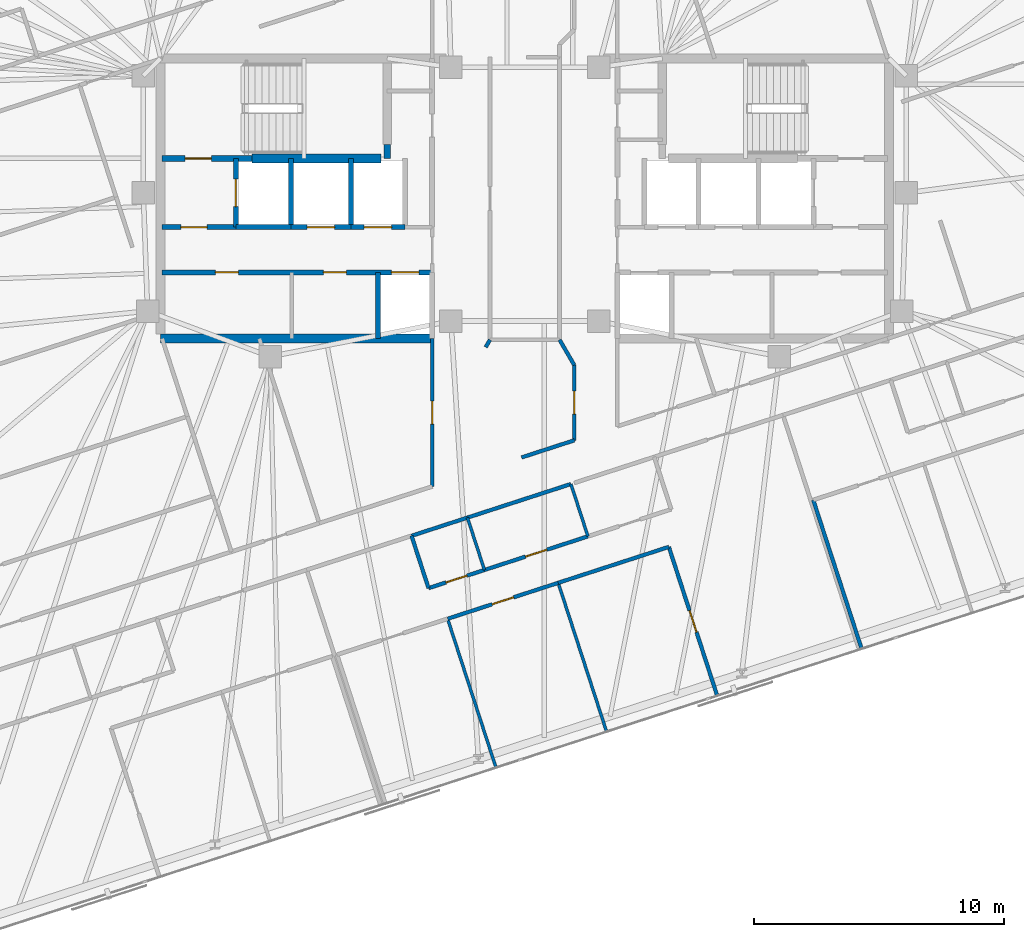
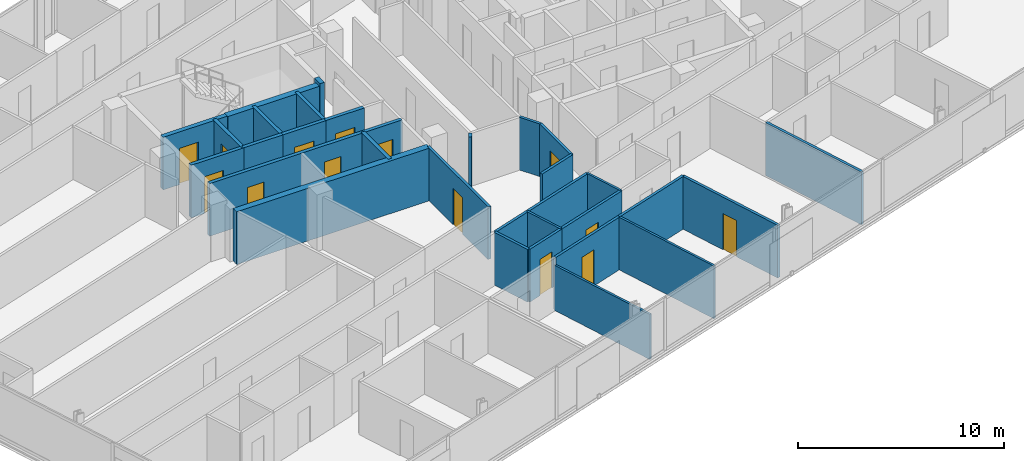
# One storey, part 14 of 20: 31 walls, 14 doors, 14 openings.
"""IFC4 building model written with IfcOpenShell, lengths in metres."""

from ifc_helpers import new_model, si_unit, direction, frame, frame_2d, origin, place, context, subcontext, project, spatial, rectangle, extrude, material, layer, layer_set, type_object, element, fill, save


model = new_model("IFC4")

# Units and contexts
model_context = context("Model", 3, precision=1e-05, world=origin(), true_north=direction((0.0, 1.0)))
body_context = subcontext(model_context, "Body", "Model", "MODEL_VIEW")
ifc_project = project(units=[si_unit("LENGTHUNIT", "METRE"), si_unit("AREAUNIT", "SQUARE_METRE"), si_unit("VOLUMEUNIT", "CUBIC_METRE"), si_unit("PLANEANGLEUNIT", "RADIAN"), si_unit("MASSUNIT", "GRAM", prefix="KILO")], contexts=[model_context])

# Site, building, storey
site_placement = place(None, origin())
site = spatial("IfcSite", under=ifc_project, at=site_placement, CompositionType="ELEMENT")
building_placement = place(site_placement, origin())
building = spatial("IfcBuilding", under=site, at=building_placement, Name="Menara Jurai Vektor", CompositionType="ELEMENT")
storey_placement = place(building_placement, frame((0.0, 0.0, 227.64990234375)))
storey = spatial("IfcBuildingStorey", under=building, at=storey_placement, Name="L60", CompositionType="ELEMENT", Elevation=227.64990234375)

# Wall, opening, door
ifc_material_1 = material(Name="Concrete C40/50", Category="concrete")
ifc_layer_1 = layer(ifc_material_1, 0.25)
ifc_layer_set_1 = layer_set([ifc_layer_1], Name="Concrete C40/50")
wall_type_1 = type_object("IfcWallType", Name="INT-WALL-CORE-250", PredefinedType="STANDARD", material=ifc_layer_set_1)
wall_1_placement = place(storey_placement, frame((-14.5, 1.60009765625, 0.0), z_axis=(0.0, 0.0, 1.0), x_axis=(1.0, 0.0, 0.0)))
wall_1 = element("IfcWall", 1, at=wall_1_placement, inside=storey, type_object=wall_type_1, Name="Interior Wall IW-250 L60", PredefinedType="STANDARD", context=body_context, shape_type="SweptSolid", body=[
    extrude(rectangle(XDim=3.60009765625, YDim=0.25, at=frame_2d((1.800048828125, 0.0))), origin(), (0.0, 0.0, 1.0), 3.125),
])
opening_1_placement = place(wall_1_placement, frame((0.919921875, 0.0, 0.0)))
opening_1 = element("IfcOpeningElement", 2, at=opening_1_placement, cuts=wall_1, Name="Opening D-L60-ST1", PredefinedType="OPENING", context=body_context, shape_type="SweptSolid", body=[
    extrude(rectangle(XDim=1.050048828125, YDim=2.14990234375, at=frame_2d((0.52490234375, 1.074951171875))), frame((0.0, 0.135009765625, 0.0), z_axis=(0.0, -1.0, 0.0), x_axis=(1.0, 0.0, 0.0)), (0.0, 0.0, 1.0), 0.27001953125),
])
ifc_material_2 = material(Name="Fire-Rated Steel Door", Category="steel")
door_type_1 = type_object("IfcDoorType", Name="DR-STAIR-1050", OperationType="NOTDEFINED", PredefinedType="DOOR", material=ifc_material_2)
door_1_placement = place(opening_1_placement, origin())
door_1 = element("IfcDoor", 3, at=door_1_placement, inside=storey, type_object=door_type_1, Name="Exit Stair ST1 Door L60", OperationType="SINGLE_SWING_RIGHT", OverallHeight=2.14990234375, OverallWidth=1.050048828125, PredefinedType="DOOR", context=body_context, shape_type="SweptSolid", body=[
    extrude(rectangle(XDim=1.050048828125, YDim=2.14990234375, at=frame_2d((0.52490234375, 1.074951171875))), frame((0.0, 0.02490234375, 0.0), z_axis=(0.0, -1.0, 0.0), x_axis=(1.0, 0.0, 0.0)), (0.0, 0.0, 1.0), 0.050048828125),
])
fill(opening_1, door_1)

# Wall
wall_2_placement = place(storey_placement, frame((-5.5, 1.60009765625, 0.0), z_axis=(0.0, 0.0, 1.0), x_axis=(0.0, 1.0, 0.0)))
element("IfcWall", 4, at=wall_2_placement, inside=storey, type_object=wall_type_1, Name="Interior Wall IW-250 L60", PredefinedType="STANDARD", context=body_context, shape_type="SweptSolid", body=[
    extrude(rectangle(XDim=0.5498046875, YDim=0.25, at=frame_2d((0.27490234375, 0.0))), origin(), (0.0, 0.0, 1.0), 3.125),
])

# Wall, opening, door
wall_3_placement = place(storey_placement, frame((-11.550048828125, -1.14990234375, 0.0), z_axis=(0.0, 0.0, 1.0), x_axis=(0.0, 1.0, 0.0)))
wall_3 = element("IfcWall", 5, at=wall_3_placement, inside=storey, type_object=wall_type_1, Name="Interior Wall IW-250 L60", PredefinedType="STANDARD", context=body_context, shape_type="SweptSolid", body=[
    extrude(rectangle(XDim=2.75, YDim=0.199951171875, at=frame_2d((1.375, 0.0))), origin(), (0.0, 0.0, 1.0), 3.125),
])
opening_2_placement = place(wall_3_placement, frame((0.824951171875, 0.0, 0.0)))
opening_2 = element("IfcOpeningElement", 6, at=opening_2_placement, cuts=wall_3, Name="Opening LD-L60-FL1", PredefinedType="OPENING", context=body_context, shape_type="SweptSolid", body=[
    extrude(rectangle(XDim=1.10009765625, YDim=2.14990234375, at=frame_2d((0.550048828125, 1.074951171875))), frame((0.0, 0.10986328125, 0.0), z_axis=(0.0, -1.0, 0.0), x_axis=(1.0, 0.0, 0.0)), (0.0, 0.0, 1.0), 0.219970703125),
])
ifc_material_3 = material(Name="Stainless Steel Sliding Lift Landing Door", Category="steel")
door_type_2 = type_object("IfcDoorType", Name="DR-LIFT-FIRE-1100", OperationType="NOTDEFINED", PredefinedType="DOOR", material=ifc_material_3)
door_2_placement = place(opening_2_placement, origin())
door_2 = element("IfcDoor", 7, at=door_2_placement, inside=storey, type_object=door_type_2, Name="Lift Landing Door FL1 L60", OperationType="SLIDING_TO_RIGHT", OverallHeight=2.14990234375, OverallWidth=1.10009765625, PredefinedType="DOOR", context=body_context, shape_type="SweptSolid", body=[
    extrude(rectangle(XDim=1.10009765625, YDim=2.14990234375, at=frame_2d((0.550048828125, 1.074951171875))), frame((0.0, 0.02490234375, 0.0), z_axis=(0.0, -1.0, 0.0), x_axis=(1.0, 0.0, 0.0)), (0.0, 0.0, 1.0), 0.050048828125),
])
fill(opening_2, door_2)

# Wall
wall_4_placement = place(storey_placement, frame((-9.35009765625, -1.14990234375, 0.0), z_axis=(0.0, 0.0, 1.0), x_axis=(0.0, 1.0, 0.0)))
element("IfcWall", 8, at=wall_4_placement, inside=storey, type_object=wall_type_1, Name="Interior Wall IW-250 L60", PredefinedType="STANDARD", context=body_context, shape_type="SweptSolid", body=[
    extrude(rectangle(XDim=2.75, YDim=0.199951171875, at=frame_2d((1.375, 0.0))), origin(), (0.0, 0.0, 1.0), 3.125),
])

# Wall, opening, door
wall_5_placement = place(storey_placement, frame((-14.5, -1.14990234375, 0.0), z_axis=(0.0, 0.0, 1.0), x_axis=(1.0, 0.0, 0.0)))
wall_5 = element("IfcWall", 9, at=wall_5_placement, inside=storey, type_object=wall_type_1, Name="Interior Wall IW-250 L60", PredefinedType="STANDARD", context=body_context, shape_type="SweptSolid", body=[
    extrude(rectangle(XDim=2.949951171875, YDim=0.199951171875, at=frame_2d((1.47509765625, 0.0))), origin(), (0.0, 0.0, 1.0), 3.125),
])
opening_3_placement = place(wall_5_placement, frame((0.75, 0.0, 0.0)))
opening_3 = element("IfcOpeningElement", 10, at=opening_3_placement, cuts=wall_5, Name="Opening D-L60-FFW", PredefinedType="OPENING", context=body_context, shape_type="SweptSolid", body=[
    extrude(rectangle(XDim=1.050048828125, YDim=2.179931640625, at=frame_2d((0.52490234375, 1.08984375))), frame((0.0, 0.10986328125, 0.0), z_axis=(0.0, -1.0, 0.0), x_axis=(1.0, 0.0, 0.0)), (0.0, 0.0, 1.0), 0.219970703125),
])
ifc_material_4 = material(Name="Fire-Rated Timber Door", Category="wood")
door_type_3 = type_object("IfcDoorType", Name="DR-LOBBY-1050", OperationType="NOTDEFINED", PredefinedType="DOOR", material=ifc_material_4)
door_3_placement = place(opening_3_placement, origin())
door_3 = element("IfcDoor", 11, at=door_3_placement, inside=storey, type_object=door_type_3, Name="Fire Lift Lobby Door W L60", OperationType="SINGLE_SWING_RIGHT", OverallHeight=2.179931640625, OverallWidth=1.050048828125, PredefinedType="DOOR", context=body_context, shape_type="SweptSolid", body=[
    extrude(rectangle(XDim=1.050048828125, YDim=2.179931640625, at=frame_2d((0.52490234375, 1.08984375))), frame((0.0, 0.02490234375, 0.0), z_axis=(0.0, -1.0, 0.0), x_axis=(1.0, 0.0, 0.0)), (0.0, 0.0, 1.0), 0.050048828125),
])
fill(opening_3, door_3)

# Walls
wall_6_placement = place(storey_placement, frame((-11.550048828125, -1.14990234375, 0.0), z_axis=(0.0, 0.0, 1.0), x_axis=(1.0, 0.0, 0.0)))
element("IfcWall", 12, at=wall_6_placement, inside=storey, type_object=wall_type_1, Name="Interior Wall IW-250 L60", PredefinedType="STANDARD", context=body_context, shape_type="SweptSolid", body=[
    extrude(rectangle(XDim=2.199951171875, YDim=0.199951171875, at=frame_2d((1.10009765625, 0.0))), origin(), (0.0, 0.0, 1.0), 3.125),
])
ifc_material_5 = material(Name="Gypsum Fireboard Partition", Category="gypsum")
ifc_layer_2 = layer(ifc_material_5, 0.14990234375)
ifc_layer_set_2 = layer_set([ifc_layer_2], Name="Gypsum Fireboard Partition")
wall_type_2 = type_object("IfcWallType", Name="INT-WALL-CORR-150", PredefinedType="PARTITIONING", material=ifc_layer_set_2)
wall_7_placement = place(storey_placement, frame((-4.52685546875, -13.48583984375, 0.0), z_axis=(0.0, 0.0, 1.0), x_axis=(0.951045519245, 0.309050837767, 0.0)))
element("IfcWall", 13, at=wall_7_placement, inside=storey, type_object=wall_type_2, Name="Interior Wall IW-150 L60", PredefinedType="PARTITIONING", context=body_context, shape_type="SweptSolid", body=[
    extrude(rectangle(XDim=2.35009765625, YDim=0.14990234375, at=frame_2d((1.175048828125, 0.0))), origin(), (0.0, 0.0, 1.0), 3.125),
])
wall_8_placement = place(storey_placement, frame((-2.291748046875, -12.759521484375, 0.0), z_axis=(0.0, 0.0, 1.0), x_axis=(0.951052627573, 0.309028962374, 0.0)))
element("IfcWall", 14, at=wall_8_placement, inside=storey, type_object=wall_type_2, Name="Interior Wall IW-150 L60", PredefinedType="PARTITIONING", context=body_context, shape_type="SweptSolid", body=[
    extrude(rectangle(XDim=4.349853515625, YDim=0.14990234375, at=frame_2d((2.1748046875, 0.0))), origin(), (0.0, 0.0, 1.0), 3.125),
])
wall_9_placement = place(storey_placement, frame((-0.12939453125, -10.353515625, 0.0), z_axis=(0.0, 0.0, 1.0), x_axis=(0.951066420845, 0.308986509643, 0.0)))
element("IfcWall", 15, at=wall_9_placement, inside=storey, type_object=wall_type_2, Name="Interior Wall IW-150 L60", PredefinedType="PARTITIONING", context=body_context, shape_type="SweptSolid", body=[
    extrude(rectangle(XDim=2.218017578125, YDim=0.14990234375, at=frame_2d((1.10888671875, 0.0))), origin(), (0.0, 0.0, 1.0), 3.125),
])
wall_10_placement = place(storey_placement, frame((-1.5625, -5.943603515625, 0.0), z_axis=(0.0, 0.0, 1.0), x_axis=(0.505387839696, 0.862892305845, 0.0)))
element("IfcWall", 16, at=wall_10_placement, inside=storey, type_object=wall_type_2, Name="Interior Wall IW-150 L60", PredefinedType="PARTITIONING", context=body_context, shape_type="SweptSolid", body=[
    extrude(rectangle(XDim=0.340087890625, YDim=0.14990234375, at=frame_2d((0.169921875, 0.0))), origin(), (0.0, 0.0, 1.0), 3.125),
])

# Wall, opening, door
wall_11_placement = place(storey_placement, frame((1.97998046875, -9.668212890625, 0.0), z_axis=(0.0, 0.0, 1.0), x_axis=(8.1241368e-05, 0.9999999967, 0.0)))
wall_11 = element("IfcWall", 17, at=wall_11_placement, inside=storey, type_object=wall_type_2, Name="Interior Wall IW-150 L60", PredefinedType="PARTITIONING", context=body_context, shape_type="SweptSolid", body=[
    extrude(rectangle(XDim=3.005126953125, YDim=0.14990234375, at=frame_2d((1.50244140625, 0.0))), origin(), (0.0, 0.0, 1.0), 3.125),
])
opening_4_placement = place(wall_11_placement, frame((1.04248046875, 0.0, 0.0)))
opening_4 = element("IfcOpeningElement", 18, at=opening_4_placement, cuts=wall_11, Name="Opening D60-48", PredefinedType="OPENING", context=body_context, shape_type="SweptSolid", body=[
    extrude(rectangle(XDim=0.919921875, YDim=2.14990234375, at=frame_2d((0.4599609375, 1.074951171875))), frame((0.0, 0.0849609375, 0.0), z_axis=(0.0, -1.0, 0.0), x_axis=(1.0, 0.0, 0.0)), (0.0, 0.0, 1.0), 0.169921875),
])
ifc_material_6 = material(Name="Solid Core Timber Fire Door", Category="wood")
door_type_4 = type_object("IfcDoorType", Name="DR-ENTRY-950", OperationType="NOTDEFINED", PredefinedType="DOOR", material=ifc_material_6)
door_4_placement = place(opening_4_placement, origin())
door_4 = element("IfcDoor", 19, at=door_4_placement, inside=storey, type_object=door_type_4, Name="Interior Door D60-48", OperationType="SINGLE_SWING_LEFT", OverallHeight=2.14990234375, OverallWidth=0.919921875, PredefinedType="DOOR", context=body_context, shape_type="SweptSolid", body=[
    extrude(rectangle(XDim=0.919921875, YDim=2.14990234375, at=frame_2d((0.4599609375, 1.074951171875))), frame((0.0, 0.02490234375, 0.0), z_axis=(0.0, -1.0, 0.0), x_axis=(1.0, 0.0, 0.0)), (0.0, 0.0, 1.0), 0.050048828125),
])
fill(opening_4, door_4)

# Wall
wall_12_placement = place(storey_placement, frame((1.391357421875, -5.6494140625, 0.0), z_axis=(0.0, 0.0, 1.0), x_axis=(0.502522642426, -0.864564048437, 0.0)))
element("IfcWall", 20, at=wall_12_placement, inside=storey, type_object=wall_type_2, Name="Interior Wall IW-150 L60", PredefinedType="PARTITIONING", context=body_context, shape_type="SweptSolid", body=[
    extrude(rectangle(XDim=1.17138671875, YDim=0.14990234375, at=frame_2d((0.585693359375, 0.0))), origin(), (0.0, 0.0, 1.0), 3.125),
])

# Wall, opening, door
wall_13_placement = place(storey_placement, frame((-3.69970703125, -11.513671875, 0.0), z_axis=(0.0, 0.0, 1.0), x_axis=(-8.2572974e-05, 0.999999996591, 0.0)))
wall_13 = element("IfcWall", 21, at=wall_13_placement, inside=storey, type_object=wall_type_2, Name="Interior Wall IW-150 L60", PredefinedType="PARTITIONING", context=body_context, shape_type="SweptSolid", body=[
    extrude(rectangle(XDim=5.913330078125, YDim=0.14990234375, at=frame_2d((2.95654296875, 0.0))), origin(), (0.0, 0.0, 1.0), 3.125),
])
opening_5_placement = place(wall_13_placement, frame((2.49658203125, 0.0, 0.0)))
opening_5 = element("IfcOpeningElement", 22, at=opening_5_placement, cuts=wall_13, Name="Opening D60-51", PredefinedType="OPENING", context=body_context, shape_type="SweptSolid", body=[
    extrude(rectangle(XDim=0.919921875, YDim=2.14990234375, at=frame_2d((0.4599609375, 1.074951171875))), frame((0.0, 0.0849609375, 0.0), z_axis=(0.0, -1.0, 0.0), x_axis=(1.0, 0.0, 0.0)), (0.0, 0.0, 1.0), 0.169921875),
])
door_5_placement = place(opening_5_placement, origin())
door_5 = element("IfcDoor", 23, at=door_5_placement, inside=storey, type_object=door_type_4, Name="Interior Door D60-51", OperationType="SINGLE_SWING_RIGHT", OverallHeight=2.14990234375, OverallWidth=0.919921875, PredefinedType="DOOR", context=body_context, shape_type="SweptSolid", body=[
    extrude(rectangle(XDim=0.919921875, YDim=2.14990234375, at=frame_2d((0.4599609375, 1.074951171875))), frame((0.0, 0.02490234375, 0.0), z_axis=(0.0, -1.0, 0.0), x_axis=(1.0, 0.0, 0.0)), (0.0, 0.0, 1.0), 0.050048828125),
])
fill(opening_5, door_5)

# Wall
wall_14_placement = place(storey_placement, frame((-3.846923828125, -15.578125, 0.0), z_axis=(0.0, 0.0, 1.0), x_axis=(-0.309060979314, 0.951042223598, 0.0)))
element("IfcWall", 24, at=wall_14_placement, inside=storey, type_object=wall_type_2, Name="Interior Wall IW-150 L60", PredefinedType="PARTITIONING", context=body_context, shape_type="SweptSolid", body=[
    extrude(rectangle(XDim=2.199951171875, YDim=0.14990234375, at=frame_2d((1.10009765625, 0.0))), origin(), (0.0, 0.0, 1.0), 3.125),
])

# Wall, opening, door
wall_15_placement = place(storey_placement, frame((-3.846923828125, -15.578125, 0.0), z_axis=(0.0, 0.0, 1.0), x_axis=(0.951035595692, 0.309081373955, 0.0)))
wall_15 = element("IfcWall", 25, at=wall_15_placement, inside=storey, type_object=wall_type_2, Name="Interior Wall IW-150 L60", PredefinedType="PARTITIONING", context=body_context, shape_type="SweptSolid", body=[
    extrude(rectangle(XDim=2.349853515625, YDim=0.14990234375, at=frame_2d((1.1748046875, 0.0))), origin(), (0.0, 0.0, 1.0), 3.125),
])
opening_6_placement = place(wall_15_placement, frame((0.735107421875, 0.0, 0.0)))
opening_6 = element("IfcOpeningElement", 26, at=opening_6_placement, cuts=wall_15, Name="Opening D60-29", PredefinedType="OPENING", context=body_context, shape_type="SweptSolid", body=[
    extrude(rectangle(XDim=0.8798828125, YDim=2.14990234375, at=frame_2d((0.43994140625, 1.074951171875))), frame((0.0, 0.0849609375, 0.0), z_axis=(0.0, -1.0, 0.0), x_axis=(1.0, 0.0, 0.0)), (0.0, 0.0, 1.0), 0.169921875),
])
ifc_material_7 = material(Name="Moisture-Resistant Timber Door", Category="wood")
door_type_5 = type_object("IfcDoorType", Name="DR-BATH-880", OperationType="NOTDEFINED", PredefinedType="DOOR", material=ifc_material_7)
door_6_placement = place(opening_6_placement, origin())
door_6 = element("IfcDoor", 27, at=door_6_placement, inside=storey, type_object=door_type_5, Name="Interior Door D60-29", OperationType="SINGLE_SWING_RIGHT", OverallHeight=2.14990234375, OverallWidth=0.8798828125, PredefinedType="DOOR", context=body_context, shape_type="SweptSolid", body=[
    extrude(rectangle(XDim=0.8798828125, YDim=2.14990234375, at=frame_2d((0.43994140625, 1.074951171875))), frame((0.0, 0.02490234375, 0.0), z_axis=(0.0, -1.0, 0.0), x_axis=(1.0, 0.0, 0.0)), (0.0, 0.0, 1.0), 0.050048828125),
])
fill(opening_6, door_6)

wall_16_placement = place(storey_placement, frame((-1.612060546875, -14.851806640625, 0.0), z_axis=(0.0, 0.0, 1.0), x_axis=(0.951074479912, 0.30896170258, 0.0)))
wall_16 = element("IfcWall", 28, at=wall_16_placement, inside=storey, type_object=wall_type_2, Name="Interior Wall IW-150 L60", PredefinedType="PARTITIONING", context=body_context, shape_type="SweptSolid", body=[
    extrude(rectangle(XDim=4.35009765625, YDim=0.14990234375, at=frame_2d((2.175048828125, 0.0))), origin(), (0.0, 0.0, 1.0), 3.125),
])
opening_7_placement = place(wall_16_placement, frame((1.72509765625, 0.0, 0.0)))
opening_7 = element("IfcOpeningElement", 29, at=opening_7_placement, cuts=wall_16, Name="Opening D60-30", PredefinedType="OPENING", context=body_context, shape_type="SweptSolid", body=[
    extrude(rectangle(XDim=0.89990234375, YDim=2.14990234375, at=frame_2d((0.449951171875, 1.074951171875))), frame((0.0, 0.0849609375, 0.0), z_axis=(0.0, -1.0, 0.0), x_axis=(1.0, 0.0, 0.0)), (0.0, 0.0, 1.0), 0.169921875),
])
ifc_material_8 = material(Name="Acoustic Timber Interior Door", Category="wood")
door_type_6 = type_object("IfcDoorType", Name="DR-ROOM-900", OperationType="NOTDEFINED", PredefinedType="DOOR", material=ifc_material_8)
door_7_placement = place(opening_7_placement, origin())
door_7 = element("IfcDoor", 30, at=door_7_placement, inside=storey, type_object=door_type_6, Name="Interior Door D60-30", OperationType="SINGLE_SWING_LEFT", OverallHeight=2.14990234375, OverallWidth=0.89990234375, PredefinedType="DOOR", context=body_context, shape_type="SweptSolid", body=[
    extrude(rectangle(XDim=0.89990234375, YDim=2.14990234375, at=frame_2d((0.449951171875, 1.074951171875))), frame((0.0, 0.02490234375, 0.0), z_axis=(0.0, -1.0, 0.0), x_axis=(1.0, 0.0, 0.0)), (0.0, 0.0, 1.0), 0.050048828125),
])
fill(opening_7, door_7)

wall_17_placement = place(storey_placement, frame((-3.085205078125, -16.802734375, 0.0), z_axis=(0.0, 0.0, 1.0), x_axis=(0.951050272606, 0.309036209813, 0.0)))
wall_17 = element("IfcWall", 31, at=wall_17_placement, inside=storey, type_object=wall_type_2, Name="Interior Wall IW-150 L60", PredefinedType="PARTITIONING", context=body_context, shape_type="SweptSolid", body=[
    extrude(rectangle(XDim=4.64990234375, YDim=0.14990234375, at=frame_2d((2.324951171875, 0.0))), origin(), (0.0, 0.0, 1.0), 3.125),
])
opening_8_placement = place(wall_17_placement, frame((1.875, 0.0, 0.0)))
opening_8 = element("IfcOpeningElement", 32, at=opening_8_placement, cuts=wall_17, Name="Opening D60-33", PredefinedType="OPENING", context=body_context, shape_type="SweptSolid", body=[
    extrude(rectangle(XDim=0.89990234375, YDim=2.14990234375, at=frame_2d((0.449951171875, 1.074951171875))), frame((0.0, 0.0849609375, 0.0), z_axis=(0.0, -1.0, 0.0), x_axis=(1.0, 0.0, 0.0)), (0.0, 0.0, 1.0), 0.169921875),
])
door_8_placement = place(opening_8_placement, origin())
door_8 = element("IfcDoor", 33, at=door_8_placement, inside=storey, type_object=door_type_6, Name="Interior Door D60-33", OperationType="SINGLE_SWING_RIGHT", OverallHeight=2.14990234375, OverallWidth=0.89990234375, PredefinedType="DOOR", context=body_context, shape_type="SweptSolid", body=[
    extrude(rectangle(XDim=0.89990234375, YDim=2.14990234375, at=frame_2d((0.449951171875, 1.074951171875))), frame((0.0, 0.02490234375, 0.0), z_axis=(0.0, -1.0, 0.0), x_axis=(1.0, 0.0, 0.0)), (0.0, 0.0, 1.0), 0.050048828125),
])
fill(opening_8, door_8)

# Wall
wall_18_placement = place(storey_placement, frame((1.337158203125, -15.36572265625, 0.0), z_axis=(0.0, 0.0, 1.0), x_axis=(0.951050272606, 0.309036209813, 0.0)))
element("IfcWall", 34, at=wall_18_placement, inside=storey, type_object=wall_type_2, Name="Interior Wall IW-150 L60", PredefinedType="PARTITIONING", context=body_context, shape_type="SweptSolid", body=[
    extrude(rectangle(XDim=4.64990234375, YDim=0.14990234375, at=frame_2d((2.324951171875, 0.0))), origin(), (0.0, 0.0, 1.0), 3.125),
])

# Wall, opening, door
wall_19_placement = place(storey_placement, frame((7.694580078125, -19.88427734375, 0.0), z_axis=(0.0, 0.0, 1.0), x_axis=(-0.309013782848, 0.951057559777, 0.0)))
wall_19 = element("IfcWall", 35, at=wall_19_placement, inside=storey, type_object=wall_type_2, Name="Interior Wall IW-150 L60", PredefinedType="PARTITIONING", context=body_context, shape_type="SweptSolid", body=[
    extrude(rectangle(XDim=6.261962890625, YDim=0.14990234375, at=frame_2d((3.130859375, 0.0))), origin(), (0.0, 0.0, 1.0), 3.125),
])
opening_9_placement = place(wall_19_placement, frame((2.680908203125, 0.0, 0.0)))
opening_9 = element("IfcOpeningElement", 36, at=opening_9_placement, cuts=wall_19, Name="Opening D60-34", PredefinedType="OPENING", context=body_context, shape_type="SweptSolid", body=[
    extrude(rectangle(XDim=0.89990234375, YDim=2.14990234375, at=frame_2d((0.449951171875, 1.074951171875))), frame((0.0, 0.0849609375, 0.0), z_axis=(0.0, -1.0, 0.0), x_axis=(1.0, 0.0, 0.0)), (0.0, 0.0, 1.0), 0.169921875),
])
door_9_placement = place(opening_9_placement, origin())
door_9 = element("IfcDoor", 37, at=door_9_placement, inside=storey, type_object=door_type_6, Name="Interior Door D60-34", OperationType="SINGLE_SWING_LEFT", OverallHeight=2.14990234375, OverallWidth=0.89990234375, PredefinedType="DOOR", context=body_context, shape_type="SweptSolid", body=[
    extrude(rectangle(XDim=0.89990234375, YDim=2.14990234375, at=frame_2d((0.449951171875, 1.074951171875))), frame((0.0, 0.02490234375, 0.0), z_axis=(0.0, -1.0, 0.0), x_axis=(1.0, 0.0, 0.0)), (0.0, 0.0, 1.0), 0.050048828125),
])
fill(opening_9, door_9)

# Walls
wall_20_placement = place(storey_placement, frame((13.467529296875, -18.008544921875, 0.0), z_axis=(0.0, 0.0, 1.0), x_axis=(-0.309013782848, 0.951057559777, 0.0)))
element("IfcWall", 38, at=wall_20_placement, inside=storey, type_object=wall_type_2, Name="Interior Wall IW-150 L60", PredefinedType="PARTITIONING", context=body_context, shape_type="SweptSolid", body=[
    extrude(rectangle(XDim=6.261962890625, YDim=0.14990234375, at=frame_2d((3.130859375, 0.0))), origin(), (0.0, 0.0, 1.0), 3.125),
])
ifc_material_9 = material(Name="Gypsum Acoustic Stud Partition", Category="gypsum")
ifc_layer_3 = layer(ifc_material_9, 0.1201171875)
ifc_layer_set_3 = layer_set([ifc_layer_3], Name="Gypsum Acoustic Stud Partition")
wall_type_3 = type_object("IfcWallType", Name="INT-WALL-PART-120", PredefinedType="PARTITIONING", material=ifc_layer_set_3)
wall_21_placement = place(storey_placement, frame((-1.612060546875, -14.851806640625, 0.0), z_axis=(0.0, 0.0, 1.0), x_axis=(-0.308960600764, 0.951074837842, 0.0)))
element("IfcWall", 39, at=wall_21_placement, inside=storey, type_object=wall_type_3, Name="Interior Wall IW-120 L60", PredefinedType="PARTITIONING", context=body_context, shape_type="SweptSolid", body=[
    extrude(rectangle(XDim=2.199951171875, YDim=0.1201171875, at=frame_2d((1.10009765625, 0.0))), origin(), (0.0, 0.0, 1.0), 3.125),
])
wall_22_placement = place(storey_placement, frame((2.525146484375, -13.5078125, 0.0), z_axis=(0.0, 0.0, 1.0), x_axis=(-0.309028364152, 0.951052821956, 0.0)))
element("IfcWall", 40, at=wall_22_placement, inside=storey, type_object=wall_type_3, Name="Interior Wall IW-120 L60", PredefinedType="PARTITIONING", context=body_context, shape_type="SweptSolid", body=[
    extrude(rectangle(XDim=2.2001953125, YDim=0.1201171875, at=frame_2d((1.10009765625, 0.0))), origin(), (0.0, 0.0, 1.0), 3.125),
])
wall_23_placement = place(storey_placement, frame((3.272216796875, -21.3212890625, 0.0), z_axis=(0.0, 0.0, 1.0), x_axis=(-0.309013782848, 0.951057559777, 0.0)))
element("IfcWall", 41, at=wall_23_placement, inside=storey, type_object=wall_type_3, Name="Interior Wall IW-120 L60", PredefinedType="PARTITIONING", context=body_context, shape_type="SweptSolid", body=[
    extrude(rectangle(XDim=6.261962890625, YDim=0.1201171875, at=frame_2d((3.130859375, 0.0))), origin(), (0.0, 0.0, 1.0), 3.125),
])
ifc_layer_4 = layer(ifc_material_9, 0.1201171875)
ifc_layer_set_4 = layer_set([ifc_layer_4], Name="Gypsum Acoustic Stud Partition")
wall_type_4 = type_object("IfcWallType", Name="INT-WALL-PART-120-H1", PredefinedType="PARTITIONING", material=ifc_layer_set_4)
wall_24_placement = place(storey_placement, frame((-1.150146484375, -22.75830078125, 0.0), z_axis=(0.0, 0.0, 1.0), x_axis=(-0.309013782848, 0.951057559777, 0.0)))
element("IfcWall", 42, at=wall_24_placement, inside=storey, type_object=wall_type_4, Name="Interior Wall IW-120 L60", PredefinedType="PARTITIONING", context=body_context, shape_type="SweptSolid", body=[
    extrude(rectangle(XDim=6.261962890625, YDim=0.1201171875, at=frame_2d((3.130859375, 0.0))), origin(), (0.0, 0.0, 1.0), 2.675048828125),
])
ifc_layer_5 = layer(ifc_material_1, 0.199951171875)
ifc_layer_set_5 = layer_set([ifc_layer_5], Name="Concrete C40/50")
wall_type_5 = type_object("IfcWallType", Name="INT-WALL-SHAFT-200", PredefinedType="STANDARD", material=ifc_layer_set_5)
wall_25_placement = place(storey_placement, frame((-6.949951171875, -1.14990234375, 0.0), z_axis=(0.0, 0.0, 1.0), x_axis=(0.0, 1.0, 0.0)))
element("IfcWall", 43, at=wall_25_placement, inside=storey, type_object=wall_type_5, Name="Interior Wall IW-200 L60", PredefinedType="STANDARD", context=body_context, shape_type="SweptSolid", body=[
    extrude(rectangle(XDim=2.75, YDim=0.199951171875, at=frame_2d((1.375, 0.0))), origin(), (0.0, 0.0, 1.0), 3.125),
])

# Wall, opening, door
wall_26_placement = place(storey_placement, frame((-9.35009765625, -1.14990234375, 0.0), z_axis=(0.0, 0.0, 1.0), x_axis=(1.0, 0.0, 0.0)))
wall_26 = element("IfcWall", 44, at=wall_26_placement, inside=storey, type_object=wall_type_5, Name="Interior Wall IW-200 L60", PredefinedType="STANDARD", context=body_context, shape_type="SweptSolid", body=[
    extrude(rectangle(XDim=2.400146484375, YDim=0.199951171875, at=frame_2d((1.2001953125, 0.0))), origin(), (0.0, 0.0, 1.0), 3.125),
])
opening_10_placement = place(wall_26_placement, frame((0.64990234375, 0.0, 0.0)))
opening_10 = element("IfcOpeningElement", 45, at=opening_10_placement, cuts=wall_26, Name="Opening LD-L60-SVL1", PredefinedType="OPENING", context=body_context, shape_type="SweptSolid", body=[
    extrude(rectangle(XDim=1.10009765625, YDim=2.14990234375, at=frame_2d((0.550048828125, 1.074951171875))), frame((0.0, 0.10986328125, 0.0), z_axis=(0.0, -1.0, 0.0), x_axis=(1.0, 0.0, 0.0)), (0.0, 0.0, 1.0), 0.219970703125),
])
ifc_material_10 = material(Name="Anodised Stainless Sliding Lift Landing Door", Category="steel")
door_type_7 = type_object("IfcDoorType", Name="DR-LIFT-PASS-1100", OperationType="NOTDEFINED", PredefinedType="DOOR", material=ifc_material_10)
door_10_placement = place(opening_10_placement, origin())
door_10 = element("IfcDoor", 46, at=door_10_placement, inside=storey, type_object=door_type_7, Name="Lift Landing Door SVL1 L60", OperationType="SLIDING_TO_RIGHT", OverallHeight=2.14990234375, OverallWidth=1.10009765625, PredefinedType="DOOR", context=body_context, shape_type="SweptSolid", body=[
    extrude(rectangle(XDim=1.10009765625, YDim=2.14990234375, at=frame_2d((0.550048828125, 1.074951171875))), frame((0.0, 0.02490234375, 0.0), z_axis=(0.0, -1.0, 0.0), x_axis=(1.0, 0.0, 0.0)), (0.0, 0.0, 1.0), 0.050048828125),
])
fill(opening_10, door_10)

wall_27_placement = place(storey_placement, frame((-6.949951171875, -1.14990234375, 0.0), z_axis=(0.0, 0.0, 1.0), x_axis=(1.0, 0.0, 0.0)))
wall_27 = element("IfcWall", 47, at=wall_27_placement, inside=storey, type_object=wall_type_5, Name="Interior Wall IW-200 L60", PredefinedType="STANDARD", context=body_context, shape_type="SweptSolid", body=[
    extrude(rectangle(XDim=2.159912109375, YDim=0.199951171875, at=frame_2d((1.080078125, 0.0))), origin(), (0.0, 0.0, 1.0), 3.125),
])
opening_11_placement = place(wall_27_placement, frame((0.530029296875, 0.0, 0.0)))
opening_11 = element("IfcOpeningElement", 48, at=opening_11_placement, cuts=wall_27, Name="Opening LD-L60-PH2", PredefinedType="OPENING", context=body_context, shape_type="SweptSolid", body=[
    extrude(rectangle(XDim=1.10009765625, YDim=2.14990234375, at=frame_2d((0.550048828125, 1.074951171875))), frame((0.0, 0.10986328125, 0.0), z_axis=(0.0, -1.0, 0.0), x_axis=(1.0, 0.0, 0.0)), (0.0, 0.0, 1.0), 0.219970703125),
])
door_11_placement = place(opening_11_placement, origin())
door_11 = element("IfcDoor", 49, at=door_11_placement, inside=storey, type_object=door_type_7, Name="Lift Landing Door PH2 L60", OperationType="SLIDING_TO_RIGHT", OverallHeight=2.14990234375, OverallWidth=1.10009765625, PredefinedType="DOOR", context=body_context, shape_type="SweptSolid", body=[
    extrude(rectangle(XDim=1.10009765625, YDim=2.14990234375, at=frame_2d((0.550048828125, 1.074951171875))), frame((0.0, 0.02490234375, 0.0), z_axis=(0.0, -1.0, 0.0), x_axis=(1.0, 0.0, 0.0)), (0.0, 0.0, 1.0), 0.050048828125),
])
fill(opening_11, door_11)

# Wall, openings, doors
wall_28_placement = place(storey_placement, frame((-14.5, -2.949951171875, 0.0), z_axis=(0.0, 0.0, 1.0), x_axis=(1.0, 0.0, 0.0)))
wall_28 = element("IfcWall", 50, at=wall_28_placement, inside=storey, type_object=wall_type_5, Name="Interior Wall IW-200 L60", PredefinedType="STANDARD", context=body_context, shape_type="SweptSolid", body=[
    extrude(rectangle(XDim=10.800048828125, YDim=0.199951171875, at=frame_2d((5.39990234375, 0.0))), origin(), (0.0, 0.0, 1.0), 3.125),
])
opening_12_placement = place(wall_28_placement, frame((9.169921875, 0.0, 0.0)))
opening_12 = element("IfcOpeningElement", 51, at=opening_12_placement, cuts=wall_28, Name="Opening LD-L60-PH1", PredefinedType="OPENING", context=body_context, shape_type="SweptSolid", body=[
    extrude(rectangle(XDim=1.10009765625, YDim=2.14990234375, at=frame_2d((0.550048828125, 1.074951171875))), frame((0.0, 0.10986328125, 0.0), z_axis=(0.0, -1.0, 0.0), x_axis=(1.0, 0.0, 0.0)), (0.0, 0.0, 1.0), 0.219970703125),
])
opening_13_placement = place(wall_28_placement, frame((2.1298828125, 0.0, 0.0)))
opening_13 = element("IfcOpeningElement", 52, at=opening_13_placement, cuts=wall_28, Name="Opening D60-01", PredefinedType="OPENING", context=body_context, shape_type="SweptSolid", body=[
    extrude(rectangle(XDim=0.919921875, YDim=2.14990234375, at=frame_2d((0.4599609375, 1.074951171875))), frame((0.0, 0.10986328125, 0.0), z_axis=(0.0, -1.0, 0.0), x_axis=(1.0, 0.0, 0.0)), (0.0, 0.0, 1.0), 0.219970703125),
])
opening_14_placement = place(wall_28_placement, frame((6.449951171875, 0.0, 0.0)))
opening_14 = element("IfcOpeningElement", 53, at=opening_14_placement, cuts=wall_28, Name="Opening D60-02", PredefinedType="OPENING", context=body_context, shape_type="SweptSolid", body=[
    extrude(rectangle(XDim=0.919921875, YDim=2.14990234375, at=frame_2d((0.4599609375, 1.074951171875))), frame((0.0, 0.10986328125, 0.0), z_axis=(0.0, -1.0, 0.0), x_axis=(1.0, 0.0, 0.0)), (0.0, 0.0, 1.0), 0.219970703125),
])
door_12_placement = place(opening_13_placement, origin())
door_12 = element("IfcDoor", 54, at=door_12_placement, inside=storey, type_object=door_type_4, Name="Interior Door D60-01", OperationType="SINGLE_SWING_LEFT", OverallHeight=2.14990234375, OverallWidth=0.919921875, PredefinedType="DOOR", context=body_context, shape_type="SweptSolid", body=[
    extrude(rectangle(XDim=0.919921875, YDim=2.14990234375, at=frame_2d((0.4599609375, 1.074951171875))), frame((0.0, 0.02490234375, 0.0), z_axis=(0.0, -1.0, 0.0), x_axis=(1.0, 0.0, 0.0)), (0.0, 0.0, 1.0), 0.050048828125),
])
fill(opening_13, door_12)
door_13_placement = place(opening_14_placement, origin())
door_13 = element("IfcDoor", 55, at=door_13_placement, inside=storey, type_object=door_type_4, Name="Interior Door D60-02", OperationType="SINGLE_SWING_RIGHT", OverallHeight=2.14990234375, OverallWidth=0.919921875, PredefinedType="DOOR", context=body_context, shape_type="SweptSolid", body=[
    extrude(rectangle(XDim=0.919921875, YDim=2.14990234375, at=frame_2d((0.4599609375, 1.074951171875))), frame((0.0, 0.02490234375, 0.0), z_axis=(0.0, -1.0, 0.0), x_axis=(1.0, 0.0, 0.0)), (0.0, 0.0, 1.0), 0.050048828125),
])
fill(opening_14, door_13)
door_14_placement = place(opening_12_placement, origin())
door_14 = element("IfcDoor", 56, at=door_14_placement, inside=storey, type_object=door_type_7, Name="Lift Landing Door PH1 L60", OperationType="SLIDING_TO_RIGHT", OverallHeight=2.14990234375, OverallWidth=1.10009765625, PredefinedType="DOOR", context=body_context, shape_type="SweptSolid", body=[
    extrude(rectangle(XDim=1.10009765625, YDim=2.14990234375, at=frame_2d((0.550048828125, 1.074951171875))), frame((0.0, 0.02490234375, 0.0), z_axis=(0.0, -1.0, 0.0), x_axis=(1.0, 0.0, 0.0)), (0.0, 0.0, 1.0), 0.050048828125),
])
fill(opening_12, door_14)

# Walls
wall_29_placement = place(storey_placement, frame((-5.860107421875, -5.60009765625, 0.0), z_axis=(0.0, 0.0, 1.0), x_axis=(0.0, 1.0, 0.0)))
element("IfcWall", 57, at=wall_29_placement, inside=storey, type_object=wall_type_5, Name="Interior Wall IW-200 L60", PredefinedType="STANDARD", context=body_context, shape_type="SweptSolid", body=[
    extrude(rectangle(XDim=2.650146484375, YDim=0.199951171875, at=frame_2d((1.3251953125, 0.0))), origin(), (0.0, 0.0, 1.0), 3.125),
])
ifc_material_11 = material(Name="Concrete C50/60", Category="concrete")
ifc_layer_6 = layer(ifc_material_11, 0.35009765625)
ifc_layer_set_6 = layer_set([ifc_layer_6], Name="Concrete C50/60")
wall_type_6 = type_object("IfcWallType", Name="STR-WALL-CORE350", PredefinedType="SHEAR", material=ifc_layer_set_6)
wall_30_placement = place(storey_placement, frame((-14.56005859375, -5.60009765625, 0.0), z_axis=(0.0, 0.0, 1.0), x_axis=(1.0, 0.0, 0.0)))
element("IfcWall", 58, at=wall_30_placement, inside=storey, type_object=wall_type_6, Name="Core Shear Wall CW-W-S L60", PredefinedType="SHEAR", context=body_context, shape_type="SweptSolid", body=[
    extrude(rectangle(XDim=10.860107421875, YDim=0.35009765625, at=frame_2d((5.43017578125, 0.0))), origin(), (0.0, 0.0, 1.0), 3.125),
])
wall_31_placement = place(storey_placement, frame((-10.89990234375, 1.60009765625, 0.0), z_axis=(0.0, 0.0, 1.0), x_axis=(1.0, 0.0, 0.0)))
element("IfcWall", 59, at=wall_31_placement, inside=storey, type_object=wall_type_6, Name="Core Shear Wall CW-W-STS L60", PredefinedType="SHEAR", context=body_context, shape_type="SweptSolid", body=[
    extrude(rectangle(XDim=5.14990234375, YDim=0.35009765625, at=frame_2d((2.574951171875, 0.0))), origin(), (0.0, 0.0, 1.0), 3.125),
])

save(model, "model.ifc")
